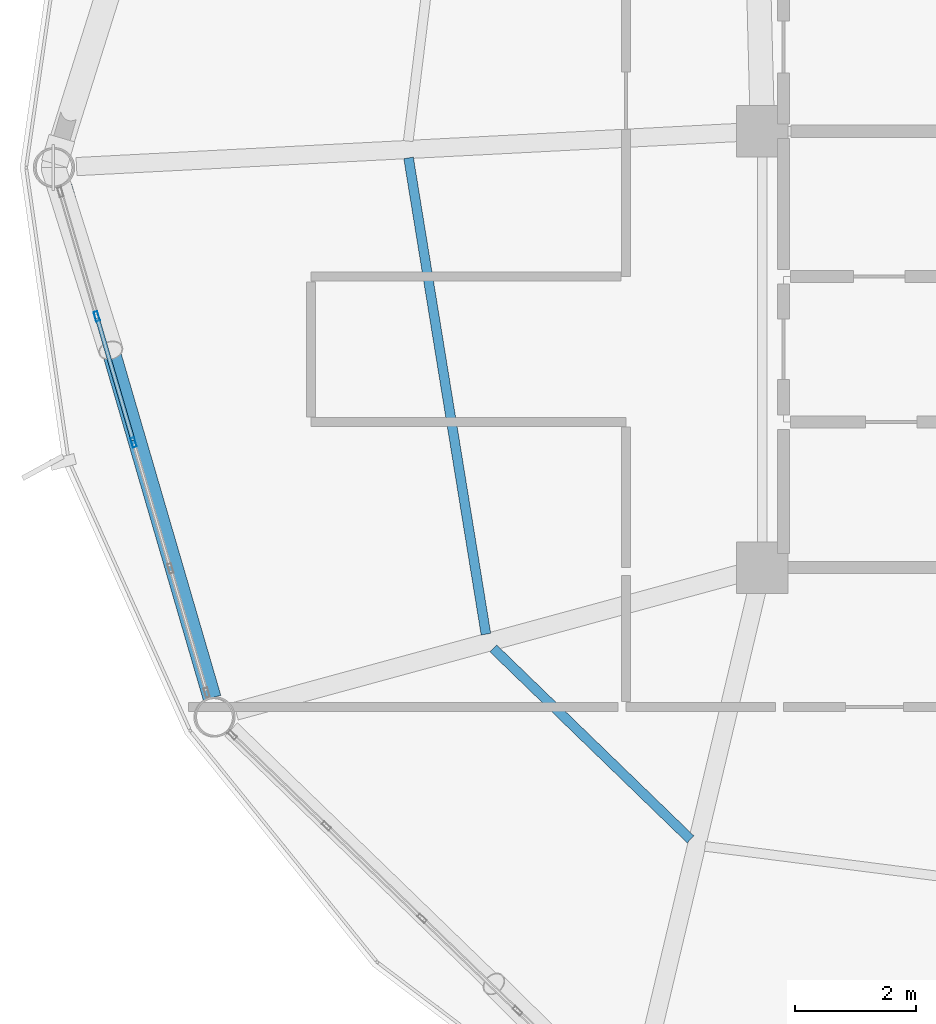
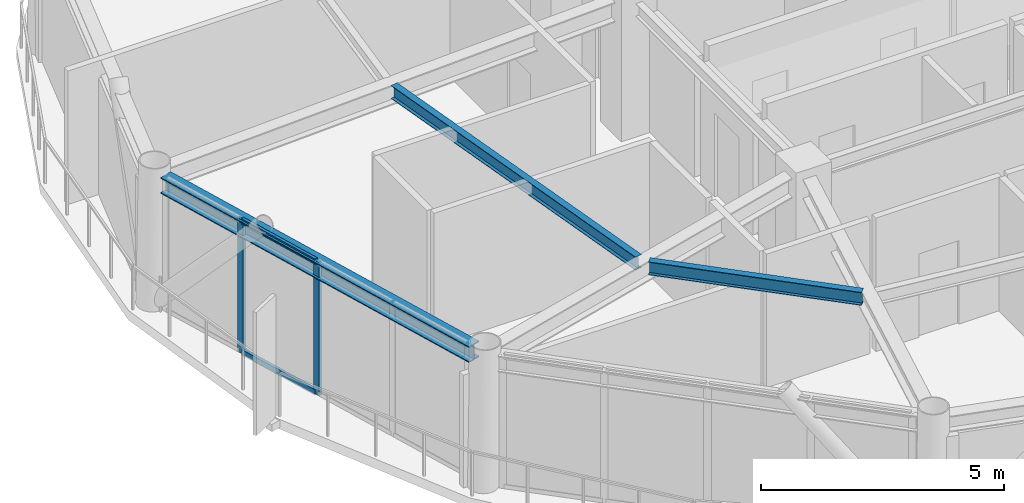
# One storey, part 5 of 28: 4 members, 3 beams, 1 element without a shape of its own.
"""IFC4 building model written with IfcOpenShell, lengths in metres."""

from ifc_helpers import new_model, si_unit, direction, frame, origin, origin_2d, place, context, subcontext, project, spatial, hollow_rectangle, i_section, extrude, material, layer, layer_set, material_profile, profile_set, type_object, element, aggregate, save


model = new_model("IFC4")

# Units and contexts
model_context = context("Model", 3, precision=1e-05, world=origin(), true_north=direction((0.0, 1.0)))
body_context = subcontext(model_context, "Body", "Model", "MODEL_VIEW")
ifc_project = project(units=[si_unit("LENGTHUNIT", "METRE"), si_unit("AREAUNIT", "SQUARE_METRE"), si_unit("VOLUMEUNIT", "CUBIC_METRE"), si_unit("PLANEANGLEUNIT", "RADIAN"), si_unit("MASSUNIT", "GRAM", prefix="KILO")], contexts=[model_context])

# Site, building, storey
site_placement = place(None, origin())
site = spatial("IfcSite", under=ifc_project, at=site_placement, CompositionType="ELEMENT")
building_placement = place(site_placement, origin())
building = spatial("IfcBuilding", under=site, at=building_placement, Name="Varnakorn Sky Granary", CompositionType="ELEMENT")
storey_placement = place(building_placement, frame((0.0, 0.0, 225.60009765625)))
storey = spatial("IfcBuildingStorey", under=building, at=storey_placement, Name="L57", CompositionType="ELEMENT", Elevation=225.60009765625)

# Beams
ifc_material_1 = material(Name="Steel S355JR", Category="steel")
ifc_material_profile_1 = material_profile(ifc_material_1, i_section(OverallWidth=0.159912109375, OverallDepth=0.330078125, WebThickness=0.007568359375, FlangeThickness=0.011474609375, at=origin_2d()), Name="IPE 330")
ifc_profile_set_1 = profile_set([ifc_material_profile_1], Name="Steel S355JR")
beam_type_1 = type_object("IfcBeamType", Name="BM-SEC-Z4", PredefinedType="BEAM", material=ifc_profile_set_1)
beam_1_placement = place(storey_placement, frame((-8.189453125, 0.159423828125, 3.19482421875), z_axis=(0.16035051597, -0.987060135974, 0.0), x_axis=(0.987060135974, 0.16035051597, 0.0)))
element("IfcBeam", 1, at=beam_1_placement, inside=storey, type_object=beam_type_1, Name="Secondary Floor Chord Beam MSB07 L57", PredefinedType="BEAM", context=body_context, shape_type="SweptSolid", body=[
    extrude(i_section(OverallWidth=0.159912109375, OverallDepth=0.330078125, WebThickness=0.007568359375, FlangeThickness=0.011474609375, at=origin_2d()), origin(), (0.0, 0.0, 1.0), 7.962890625),
])
beam_2_placement = place(storey_placement, frame((-6.789794921875, -7.93603515625, 3.19482421875), z_axis=(0.718414440731, -0.695615332888, 0.0), x_axis=(0.695615332888, 0.718414440731, 0.0)))
element("IfcBeam", 2, at=beam_2_placement, inside=storey, type_object=beam_type_1, Name="Secondary Floor Chord Beam MSB08 L57", PredefinedType="BEAM", context=body_context, shape_type="SweptSolid", body=[
    extrude(i_section(OverallWidth=0.159912109375, OverallDepth=0.330078125, WebThickness=0.007568359375, FlangeThickness=0.011474609375, at=origin_2d()), origin(), (0.0, 0.0, 1.0), 4.529541015625),
])
ifc_material_profile_2 = material_profile(ifc_material_1, i_section(OverallWidth=0.300048828125, OverallDepth=0.39990234375, WebThickness=0.013427734375, FlangeThickness=0.02392578125, at=origin_2d()), Name="HE 400 B")
ifc_profile_set_2 = profile_set([ifc_material_profile_2], Name="Steel S355JR")
beam_type_2 = type_object("IfcBeamType", Name="BM-SPD-Z4", PredefinedType="SPANDREL", material=ifc_profile_set_2)
beam_3_placement = place(storey_placement, frame((-13.895751953125, -0.302490234375, 3.159912109375), z_axis=(0.279963780943, -0.96001056315, 0.0), x_axis=(0.96001056315, 0.279963780943, 0.0)))
element("IfcBeam", 3, at=beam_3_placement, inside=storey, type_object=beam_type_2, Name="Perimeter Spandrel Ring Beam RB07 L57", PredefinedType="SPANDREL", context=body_context, shape_type="SweptSolid", body=[
    extrude(i_section(OverallWidth=0.300048828125, OverallDepth=0.39990234375, WebThickness=0.013427734375, FlangeThickness=0.02392578125, at=origin_2d()), origin(), (0.0, 0.0, 1.0), 8.80078125),
])

# Curtain wall, members
ifc_material_2 = material(Name="Anodised Bronze Aluminium Alloy 6063-T6", Category="aluminium")
ifc_layer = layer(ifc_material_2, 0.169921875, Name="Anodised Bronze Aluminium Alloy 6063-T6")
ifc_layer_set = layer_set([ifc_layer], Name="Anodised Bronze Aluminium Alloy 6063-T6")
curtain_wall_type = type_object("IfcCurtainWallType", Name="CW-LAB-1", PredefinedType="USERDEFINED", material=ifc_layer_set)
curtain_wall_placement = place(storey_placement, origin())
curtain_wall = element("IfcCurtainWall", 4, at=curtain_wall_placement, inside=storey, type_object=curtain_wall_type, Name="Unitised Curtain Wall CW5 CW-L57-B07", ObjectType="CURTAIN WALL", PredefinedType="USERDEFINED")
ifc_material_profile_3 = material_profile(ifc_material_2, hollow_rectangle(XDim=0.06494140625, YDim=0.159912109375, WallThickness=0.00341796875, at=origin_2d()), Name="ALU MULL 65x160")
ifc_profile_set_3 = profile_set([ifc_material_profile_3], Name="Anodised Bronze Aluminium Alloy 6063-T6")
member_type_1 = type_object("IfcMemberType", Name="CW-LAB-1-MULL", PredefinedType="MULLION", material=ifc_profile_set_3)
member_1_placement = place(storey_placement, frame((-12.727294921875, -4.53515625, 0.0), z_axis=(0.0, 0.0, 1.0), x_axis=(-0.959890244378, -0.28037603098, 0.0)))
member_1 = element("IfcMember", 5, at=member_1_placement, type_object=member_type_1, Name="CW5 mullion 3", PredefinedType="MULLION", context=body_context, shape_type="SweptSolid", body=[
    extrude(hollow_rectangle(XDim=0.06494140625, YDim=0.159912109375, WallThickness=0.00341796875, at=origin_2d()), origin(), (0.0, 0.0, 1.0), 3.35986328125),
])
member_2_placement = place(storey_placement, frame((-13.3349609375, -2.454833984375, 0.0), z_axis=(0.0, 0.0, 1.0), x_axis=(-0.959890244378, -0.28037603098, 0.0)))
member_2 = element("IfcMember", 6, at=member_2_placement, type_object=member_type_1, Name="CW5 mullion 4", PredefinedType="MULLION", context=body_context, shape_type="SweptSolid", body=[
    extrude(hollow_rectangle(XDim=0.06494140625, YDim=0.159912109375, WallThickness=0.00341796875, at=origin_2d()), origin(), (0.0, 0.0, 1.0), 3.35986328125),
])
ifc_material_profile_4 = material_profile(ifc_material_2, hollow_rectangle(XDim=0.070068359375, YDim=0.139892578125, WallThickness=0.00341796875, at=origin_2d()), Name="ALU TRAN 70x140")
ifc_profile_set_4 = profile_set([ifc_material_profile_4], Name="Anodised Bronze Aluminium Alloy 6063-T6")
member_type_2 = type_object("IfcMemberType", Name="CW-LAB-1-TRAN", PredefinedType="USERDEFINED", material=ifc_profile_set_4)
member_3_placement = place(storey_placement, frame((-12.736572265625, -4.504150390625, 0.034912109375), z_axis=(-0.280329969225, 0.959903697438, 0.0), x_axis=(-0.959903697438, -0.280329969225, 0.0)))
member_3 = element("IfcMember", 7, at=member_3_placement, type_object=member_type_2, Name="CW5 transom 3.1", ObjectType="TRANSOM", PredefinedType="USERDEFINED", context=body_context, shape_type="SweptSolid", body=[
    extrude(hollow_rectangle(XDim=0.070068359375, YDim=0.139892578125, WallThickness=0.00341796875, at=origin_2d()), origin(), (0.0, 0.0, 1.0), 2.102294921875),
])
member_4_placement = place(storey_placement, frame((-12.736572265625, -4.504150390625, 3.324951171875), z_axis=(-0.280329969225, 0.959903697438, 0.0), x_axis=(-0.959903697438, -0.280329969225, 0.0)))
member_4 = element("IfcMember", 8, at=member_4_placement, type_object=member_type_2, Name="CW5 transom 3.2", ObjectType="TRANSOM", PredefinedType="USERDEFINED", context=body_context, shape_type="SweptSolid", body=[
    extrude(hollow_rectangle(XDim=0.070068359375, YDim=0.139892578125, WallThickness=0.00341796875, at=origin_2d()), origin(), (0.0, 0.0, 1.0), 2.102294921875),
])
aggregate(curtain_wall, [member_1, member_2, member_3, member_4])

save(model, "model.ifc")
